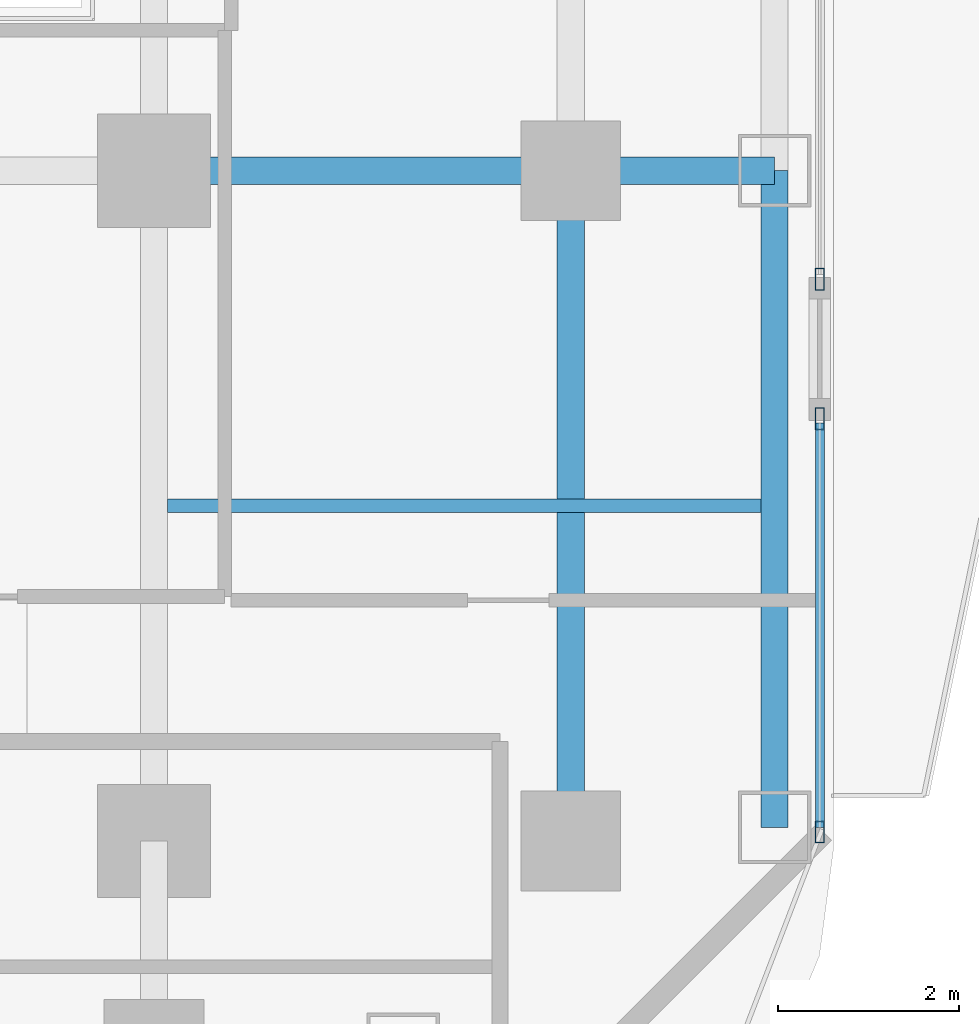
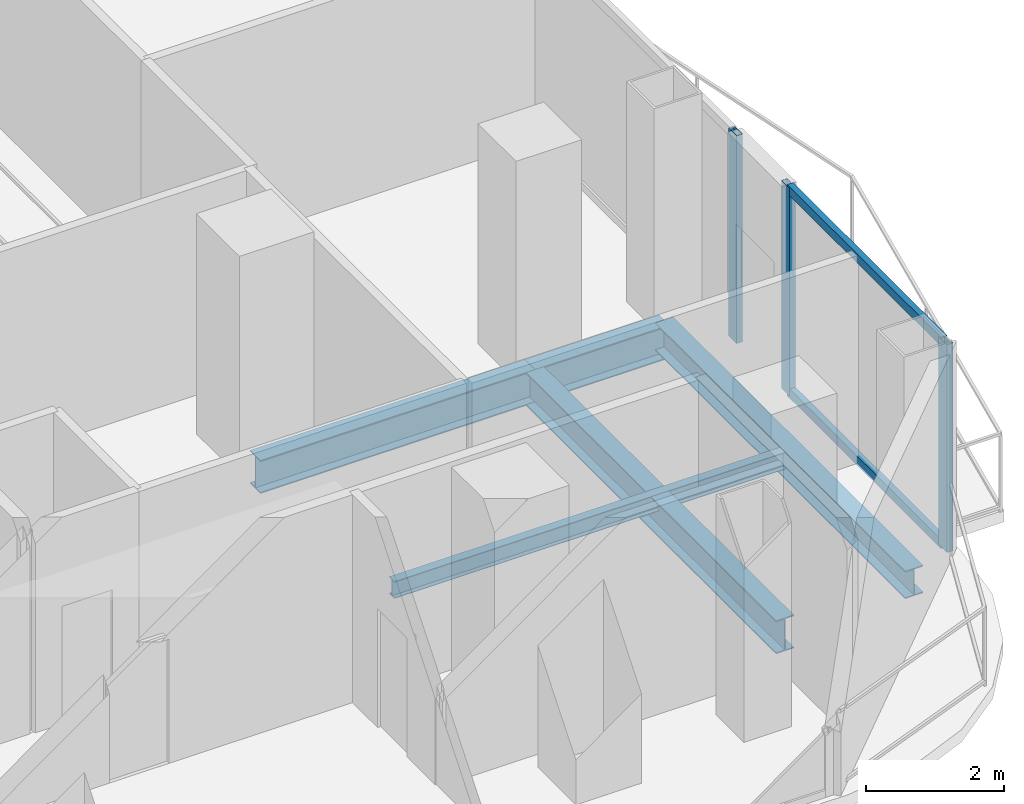
# One storey, part 9 of 27: 5 beams, 5 members, 2 elements without a shape of their own.
"""IFC4 building model written with IfcOpenShell, lengths in metres."""

from ifc_helpers import new_model, si_unit, direction, frame, origin, origin_2d, place, context, subcontext, project, spatial, hollow_rectangle, i_section, extrude, material, layer, layer_set, material_profile, profile_set, type_object, element, aggregate, save


model = new_model("IFC4")

# Units and contexts
model_context = context("Model", 3, precision=1e-05, world=origin(), true_north=direction((0.0, 1.0)))
body_context = subcontext(model_context, "Body", "Model", "MODEL_VIEW")
ifc_project = project(units=[si_unit("LENGTHUNIT", "METRE"), si_unit("AREAUNIT", "SQUARE_METRE"), si_unit("VOLUMEUNIT", "CUBIC_METRE"), si_unit("PLANEANGLEUNIT", "RADIAN"), si_unit("MASSUNIT", "GRAM", prefix="KILO")], contexts=[model_context])

# Site, building, storey
site_placement = place(None, origin())
site = spatial("IfcSite", under=ifc_project, at=site_placement, CompositionType="ELEMENT")
building_placement = place(site_placement, origin())
building = spatial("IfcBuilding", under=site, at=building_placement, Name="Khorvyn Point Tower", CompositionType="ELEMENT")
storey_placement = place(building_placement, frame((0.0, 0.0, 96.89990234375)))
storey = spatial("IfcBuildingStorey", under=building, at=storey_placement, Name="L24", CompositionType="ELEMENT", Elevation=96.89990234375)

# Curtain wall, member
ifc_material_1 = material(Name="Anodised aluminium 6063-T6 and laminated Low-E glass", Category="aluminium")
ifc_layer = layer(ifc_material_1, 0.18994140625)
ifc_layer_set = layer_set([ifc_layer], Name="Stick-Built Finned Residential Curtain Wall CW-SYS-02")
curtain_wall_type = type_object("IfcCurtainWallType", Name="Stick-Built Finned Residential Curtain Wall CW-SYS-02", PredefinedType="NOTDEFINED", material=ifc_layer_set)
curtain_wall_1_placement = place(storey_placement, origin())
curtain_wall_1 = element("IfcCurtainWall", 1, at=curtain_wall_1_placement, inside=storey, type_object=curtain_wall_type, Name="Curtain Wall", PredefinedType="NOTDEFINED")
ifc_material_2 = material(Name="Anodised aluminium 6063-T6", Category="aluminium")
ifc_material_profile_1 = material_profile(ifc_material_2, hollow_rectangle(XDim=0.10009765625, YDim=0.239990234375, WallThickness=0.0048828125, at=origin_2d()))
ifc_profile_set_1 = profile_set([ifc_material_profile_1], Name="Anodised aluminium 6063-T6 ALU-MUL-100x240")
member_type_1 = type_object("IfcMemberType", Name="Anodised Aluminium 6063-T6 Mullion ALU-MUL-100x240", PredefinedType="MULLION", material=ifc_profile_set_1)
member_1_placement = place(storey_placement, frame((22.14990234375, -8.596923828125, 0.0), z_axis=(0.0, 0.0, 1.0), x_axis=(1.0, 0.0, 0.0)))
member_1 = element("IfcMember", 2, at=member_1_placement, type_object=member_type_1, Name="Transom", PredefinedType="MULLION", context=body_context, shape_type="SweptSolid", body=[
    extrude(hollow_rectangle(XDim=0.10009765625, YDim=0.239990234375, WallThickness=0.0048828125, at=origin_2d()), origin(), (0.0, 0.0, 1.0), 3.68017578125),
])
aggregate(curtain_wall_1, [member_1])

# Curtain wall, members
curtain_wall_2_placement = place(storey_placement, origin())
curtain_wall_2 = element("IfcCurtainWall", 3, at=curtain_wall_2_placement, inside=storey, type_object=curtain_wall_type, Name="Curtain Wall", PredefinedType="NOTDEFINED")
member_2_placement = place(storey_placement, frame((22.14990234375, -10.136962890625, 0.0), z_axis=(0.0, 0.0, 1.0), x_axis=(1.0, 0.0, 0.0)))
member_2 = element("IfcMember", 4, at=member_2_placement, type_object=member_type_1, Name="Transom", PredefinedType="MULLION", context=body_context, shape_type="SweptSolid", body=[
    extrude(hollow_rectangle(XDim=0.10009765625, YDim=0.239990234375, WallThickness=0.0048828125, at=origin_2d()), origin(), (0.0, 0.0, 1.0), 3.68017578125),
])
member_3_placement = place(storey_placement, frame((22.14990234375, -14.699951171875, 0.0), z_axis=(0.0, 0.0, 1.0), x_axis=(1.0, 0.0, 0.0)))
member_3 = element("IfcMember", 5, at=member_3_placement, type_object=member_type_1, Name="Transom", PredefinedType="MULLION", context=body_context, shape_type="SweptSolid", body=[
    extrude(hollow_rectangle(XDim=0.10009765625, YDim=0.239990234375, WallThickness=0.0048828125, at=origin_2d()), origin(), (0.0, 0.0, 1.0), 3.68017578125),
])
ifc_material_profile_2 = material_profile(ifc_material_2, hollow_rectangle(XDim=0.10009765625, YDim=0.159912109375, WallThickness=0.00439453125, at=origin_2d()))
ifc_profile_set_2 = profile_set([ifc_material_profile_2], Name="Anodised aluminium 6063-T6 ALU-TRN-100x160")
member_type_2 = type_object("IfcMemberType", Name="Anodised Aluminium 6063-T6 Transom ALU-TRN-100x160", PredefinedType="USERDEFINED", material=ifc_profile_set_2)
member_4_placement = place(storey_placement, frame((22.14990234375, -10.18701171875, 0.050048828125), z_axis=(0.0, -1.0, 0.0), x_axis=(1.0, 0.0, 0.0)))
member_4 = element("IfcMember", 6, at=member_4_placement, type_object=member_type_2, Name="Transom", ObjectType="TRANSOM", PredefinedType="USERDEFINED", context=body_context, shape_type="SweptSolid", body=[
    extrude(hollow_rectangle(XDim=0.10009765625, YDim=0.159912109375, WallThickness=0.00439453125, at=origin_2d()), origin(), (0.0, 0.0, 1.0), 4.462890625),
])
member_5_placement = place(storey_placement, frame((22.14990234375, -10.18701171875, 3.630126953125), z_axis=(0.0, -1.0, 0.0), x_axis=(1.0, 0.0, 0.0)))
member_5 = element("IfcMember", 7, at=member_5_placement, type_object=member_type_2, Name="Transom", ObjectType="TRANSOM", PredefinedType="USERDEFINED", context=body_context, shape_type="SweptSolid", body=[
    extrude(hollow_rectangle(XDim=0.10009765625, YDim=0.159912109375, WallThickness=0.00439453125, at=origin_2d()), origin(), (0.0, 0.0, 1.0), 4.462890625),
])
aggregate(curtain_wall_2, [member_2, member_3, member_4, member_5])

# Beams
ifc_material_3 = material(Name="Steel S355", Category="steel")
ifc_material_profile_3 = material_profile(ifc_material_3, i_section(OverallWidth=0.300048828125, OverallDepth=0.587890625, WebThickness=0.011962890625, FlangeThickness=0.02001953125, at=origin_2d()))
ifc_profile_set_3 = profile_set([ifc_material_profile_3], Name="Steel S355 H588x300x12x20")
beam_type_1 = type_object("IfcBeamType", Name="Steel S355 Beam H588x300x12x20", PredefinedType="BEAM", material=ifc_profile_set_3)
beam_1_placement = place(storey_placement, frame((14.800048828125, -7.39990234375, -0.513916015625), z_axis=(1.0, 0.0, 0.0), x_axis=(0.0, 1.0, 0.0)))
element("IfcBeam", 8, at=beam_1_placement, inside=storey, type_object=beam_type_1, Name="Beam", PredefinedType="BEAM", context=body_context, shape_type="SweptSolid", body=[
    extrude(i_section(OverallWidth=0.300048828125, OverallDepth=0.587890625, WebThickness=0.011962890625, FlangeThickness=0.02001953125, at=origin_2d()), origin(), (0.0, 0.0, 1.0), 4.599853515625),
])
beam_2_placement = place(storey_placement, frame((19.39990234375, -7.39990234375, -0.513916015625), z_axis=(1.0, 0.0, 0.0), x_axis=(0.0, 1.0, 0.0)))
element("IfcBeam", 9, at=beam_2_placement, inside=storey, type_object=beam_type_1, Name="Beam", PredefinedType="BEAM", context=body_context, shape_type="SweptSolid", body=[
    extrude(i_section(OverallWidth=0.300048828125, OverallDepth=0.587890625, WebThickness=0.011962890625, FlangeThickness=0.02001953125, at=origin_2d()), origin(), (0.0, 0.0, 1.0), 2.25),
])
beam_3_placement = place(storey_placement, frame((19.39990234375, -14.800048828125, -0.513916015625), z_axis=(0.0, 1.0, 0.0), x_axis=(-1.0, 0.0, 0.0)))
element("IfcBeam", 10, at=beam_3_placement, inside=storey, type_object=beam_type_1, Name="Beam", PredefinedType="BEAM", context=body_context, shape_type="SweptSolid", body=[
    extrude(i_section(OverallWidth=0.300048828125, OverallDepth=0.587890625, WebThickness=0.011962890625, FlangeThickness=0.02001953125, at=origin_2d()), origin(), (0.0, 0.0, 1.0), 7.400146484375),
])
ifc_material_profile_4 = material_profile(ifc_material_3, i_section(OverallWidth=0.14990234375, OverallDepth=0.300048828125, WebThickness=0.006591796875, FlangeThickness=0.009033203125, at=origin_2d()))
ifc_profile_set_4 = profile_set([ifc_material_profile_4], Name="Steel S355 H300x150x6.5x9")
beam_type_2 = type_object("IfcBeamType", Name="Steel S355 Joist H300x150x6.5x9", PredefinedType="JOIST", material=ifc_profile_set_4)
beam_4_placement = place(storey_placement, frame((14.949951171875, -11.10009765625, -0.369873046875), z_axis=(1.0, 0.0, 0.0), x_axis=(0.0, 1.0, 0.0)))
element("IfcBeam", 11, at=beam_4_placement, inside=storey, type_object=beam_type_2, Name="Beam", PredefinedType="JOIST", context=body_context, shape_type="SweptSolid", body=[
    extrude(i_section(OverallWidth=0.14990234375, OverallDepth=0.300048828125, WebThickness=0.006591796875, FlangeThickness=0.009033203125, at=origin_2d()), origin(), (0.0, 0.0, 1.0), 6.550048828125),
])
ifc_material_profile_5 = material_profile(ifc_material_3, i_section(OverallWidth=0.300048828125, OverallDepth=0.488037109375, WebThickness=0.010986328125, FlangeThickness=0.01806640625, at=origin_2d()))
ifc_profile_set_5 = profile_set([ifc_material_profile_5], Name="Steel S355 H488x300x11x18")
beam_type_3 = type_object("IfcBeamType", Name="Steel S355 Spandrel H488x300x11x18", PredefinedType="SPANDREL", material=ifc_profile_set_5)
beam_5_placement = place(storey_placement, frame((21.64990234375, -14.64990234375, -0.4638671875), z_axis=(0.0, 1.0, 0.0), x_axis=(-1.0, 0.0, 0.0)))
element("IfcBeam", 12, at=beam_5_placement, inside=storey, type_object=beam_type_3, Name="Beam", PredefinedType="SPANDREL", context=body_context, shape_type="SweptSolid", body=[
    extrude(i_section(OverallWidth=0.300048828125, OverallDepth=0.488037109375, WebThickness=0.010986328125, FlangeThickness=0.01806640625, at=origin_2d()), origin(), (0.0, 0.0, 1.0), 7.25),
])

save(model, "model.ifc")
